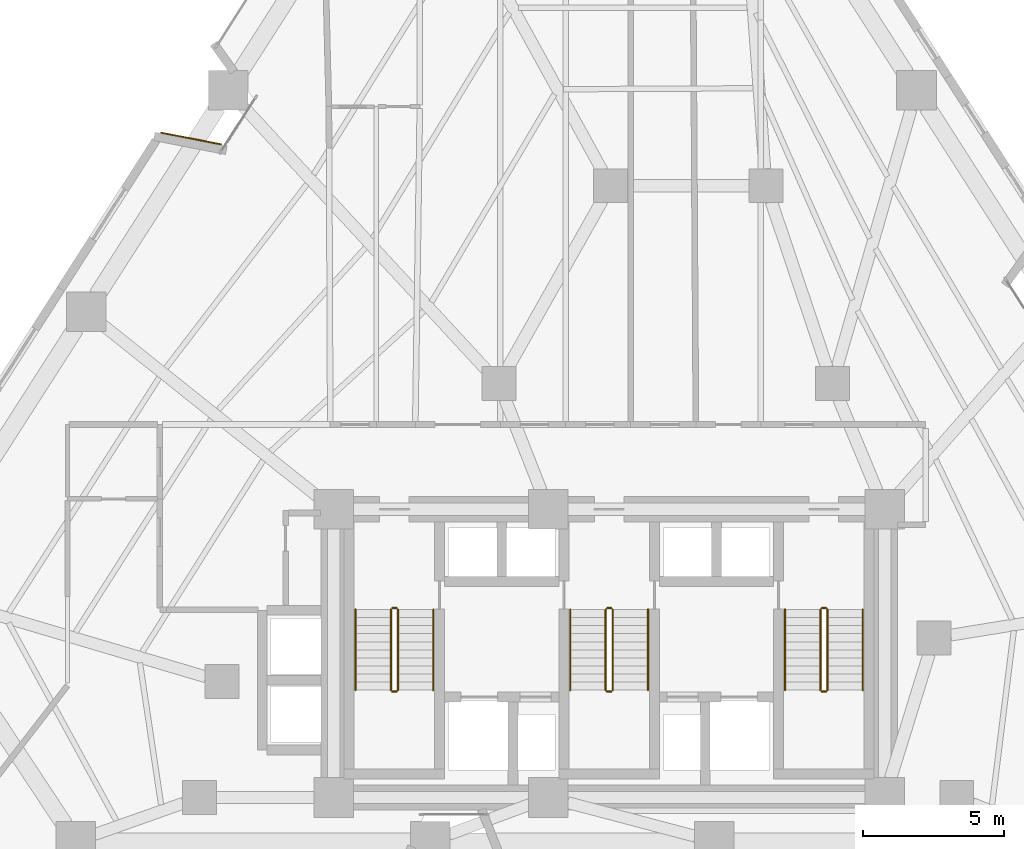
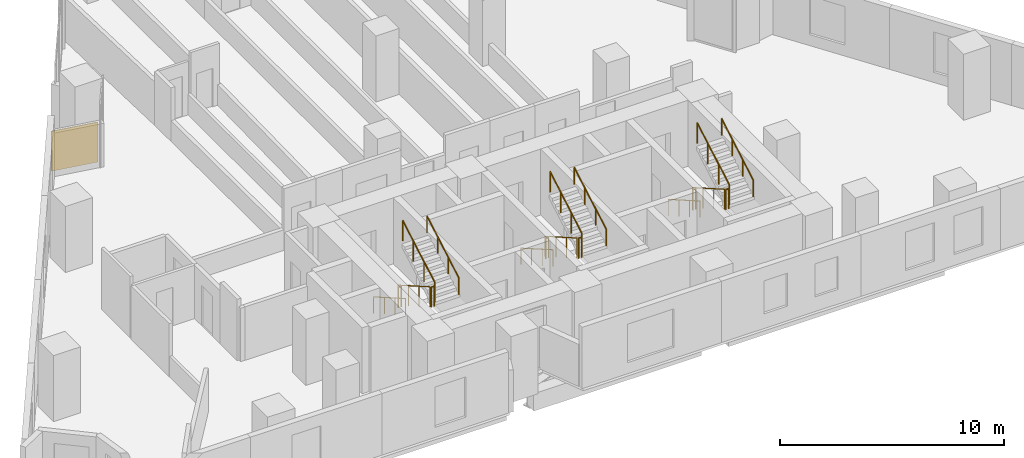
# One storey, part 12 of 13: 18 railings, 1 covering.
"""IFC4 building model written with IfcOpenShell, lengths in metres."""

from ifc_helpers import new_model, si_unit, direction, frame, origin, origin_2d, place, context, subcontext, project, spatial, rectangle, circle, extrude, material, layer, layer_set, type_object, element, save


model = new_model("IFC4")

# Units and contexts
model_context = context("Model", 3, precision=1e-05, world=origin(), true_north=direction((0.0, 1.0)))
body_context = subcontext(model_context, "Body", "Model", "MODEL_VIEW")
ifc_project = project(units=[si_unit("LENGTHUNIT", "METRE"), si_unit("AREAUNIT", "SQUARE_METRE"), si_unit("VOLUMEUNIT", "CUBIC_METRE"), si_unit("PLANEANGLEUNIT", "RADIAN"), si_unit("MASSUNIT", "GRAM", prefix="KILO")], contexts=[model_context])

# Site, building, storey
site_placement = place(None, origin())
site = spatial("IfcSite", under=ifc_project, at=site_placement, CompositionType="ELEMENT")
building_placement = place(site_placement, origin())
building = spatial("IfcBuilding", under=site, at=building_placement, Name="Almagre Mirador Tower", CompositionType="ELEMENT")
storey_placement = place(building_placement, frame((0.0, 0.0, 49.800048828125)))
storey = spatial("IfcBuildingStorey", under=building, at=storey_placement, Name="L11", CompositionType="ELEMENT", Elevation=49.800048828125)

# Covering
ifc_material_1 = material(Name="Almagre terracotta architectural cladding", Category="masonry")
ifc_layer = layer(ifc_material_1, 0.044921875)
ifc_layer_set = layer_set([ifc_layer], Name="Almagre terracotta architectural cladding")
covering_type = type_object("IfcCoveringType", Name="COV-CLAD-ALMAGRE", PredefinedType="CLADDING", material=ifc_layer_set)
covering_placement = place(storey_placement, frame((22.50634765625, 27.869384765625, 0.10009765625), z_axis=(0.0, 0.0, 1.0), x_axis=(0.981746878502, -0.190192183203, 0.0)))
element("IfcCovering", 1, at=covering_placement, inside=storey, type_object=covering_type, Name="L11 almagre terracotta pier cladding", PredefinedType="CLADDING", context=body_context, shape_type="SweptSolid", body=[
    extrude(rectangle(XDim=2.193115234375, YDim=0.044921875, at=origin_2d()), origin(), (0.0, 0.0, 1.0), 2.175048828125),
])

# Railings
ifc_material_2 = material(Name="Painted galvanized steel", Category="steel")
railing_type_1 = type_object("IfcRailingType", Name="RLG-GRD-1100", PredefinedType="GUARDRAIL", material=ifc_material_2)
railing_1_placement = place(storey_placement, frame((29.574951171875, 11.199951171875, 0.16357421875)))
element("IfcRailing", 2, at=railing_1_placement, inside=storey, type_object=railing_type_1, Name="L11 ST-1 stair guard 1", PredefinedType="GUARDRAIL", context=body_context, shape_type="SweptSolid", body=[
    extrude(circle(Radius=0.02392578125, at=origin_2d()), frame((0.0, 0.0, 1.09619140625), z_axis=(0.0, -0.867194282975, 0.497969954491), x_axis=(1.0, 0.0, 0.0)), (0.0, 0.0, 1.0), 3.286376953125),
    extrude(circle(Radius=0.02099609375, at=origin_2d()), origin(), (0.0, 0.0, 1.0), 1.072021484375),
    extrude(circle(Radius=0.02099609375, at=origin_2d()), frame((0.0, -0.949951171875, 0.54541015625)), (0.0, 0.0, 1.0), 1.072021484375),
    extrude(circle(Radius=0.02099609375, at=origin_2d()), frame((0.0, -1.89990234375, 1.091064453125)), (0.0, 0.0, 1.0), 1.072021484375),
    extrude(circle(Radius=0.02099609375, at=origin_2d()), frame((0.0, -2.849853515625, 1.636474609375)), (0.0, 0.0, 1.0), 1.072021484375),
])
railing_2_placement = place(storey_placement, frame((29.625, 8.300048828125, 1.800048828125)))
element("IfcRailing", 3, at=railing_2_placement, inside=storey, type_object=railing_type_1, Name="L11 ST-1 stair guard 2", PredefinedType="GUARDRAIL", context=body_context, shape_type="SweptSolid", body=[
    extrude(circle(Radius=0.02392578125, at=origin_2d()), frame((0.0, 0.0, 1.09619140625), z_axis=(1.0, 0.0, 0.0), x_axis=(0.0, 1.0, 0.0)), (0.0, 0.0, 1.0), 0.14990234375),
    extrude(circle(Radius=0.02099609375, at=origin_2d()), origin(), (0.0, 0.0, 1.0), 1.072021484375),
    extrude(circle(Radius=0.02099609375, at=origin_2d()), frame((0.14990234375, 0.0, 0.0)), (0.0, 0.0, 1.0), 1.072021484375),
])
railing_3_placement = place(storey_placement, frame((29.824951171875, 8.35009765625, 1.963623046875)))
element("IfcRailing", 4, at=railing_3_placement, inside=storey, type_object=railing_type_1, Name="L11 ST-1 stair guard 3", PredefinedType="GUARDRAIL", context=body_context, shape_type="SweptSolid", body=[
    extrude(circle(Radius=0.02392578125, at=origin_2d()), frame((0.0, 0.0, 1.09619140625), z_axis=(0.0, 0.867226363773, 0.497914082927), x_axis=(-1.0, 0.0, 0.0)), (0.0, 0.0, 1.0), 3.2861328125),
    extrude(circle(Radius=0.02099609375, at=origin_2d()), origin(), (0.0, 0.0, 1.0), 1.072021484375),
    extrude(circle(Radius=0.02099609375, at=origin_2d()), frame((0.0, 0.949951171875, 0.54541015625)), (0.0, 0.0, 1.0), 1.072021484375),
    extrude(circle(Radius=0.02099609375, at=origin_2d()), frame((0.0, 1.89990234375, 1.0908203125)), (0.0, 0.0, 1.0), 1.072021484375),
    extrude(circle(Radius=0.02099609375, at=origin_2d()), frame((0.0, 2.849853515625, 1.63623046875)), (0.0, 0.0, 1.0), 1.072021484375),
])
railing_4_placement = place(storey_placement, frame((29.625, 11.25, 0.0)))
element("IfcRailing", 5, at=railing_4_placement, inside=storey, type_object=railing_type_1, Name="L11 ST-1 stair guard 4", PredefinedType="GUARDRAIL", context=body_context, shape_type="SweptSolid", body=[
    extrude(circle(Radius=0.02392578125, at=origin_2d()), frame((0.0, 0.0, 1.09619140625), z_axis=(1.0, 0.0, 0.0), x_axis=(0.0, 1.0, 0.0)), (0.0, 0.0, 1.0), 0.14990234375),
    extrude(circle(Radius=0.02099609375, at=origin_2d()), origin(), (0.0, 0.0, 1.0), 1.072021484375),
    extrude(circle(Radius=0.02099609375, at=origin_2d()), frame((0.14990234375, 0.0, 0.0)), (0.0, 0.0, 1.0), 1.072021484375),
])
railing_5_placement = place(storey_placement, frame((37.175048828125, 11.199951171875, 0.16357421875)))
element("IfcRailing", 6, at=railing_5_placement, inside=storey, type_object=railing_type_1, Name="L11 ST-2 stair guard 1", PredefinedType="GUARDRAIL", context=body_context, shape_type="SweptSolid", body=[
    extrude(circle(Radius=0.02392578125, at=origin_2d()), frame((0.0, 0.0, 1.09619140625), z_axis=(0.0, -0.867194282975, 0.497969954491), x_axis=(1.0, 0.0, 0.0)), (0.0, 0.0, 1.0), 3.286376953125),
    extrude(circle(Radius=0.02099609375, at=origin_2d()), origin(), (0.0, 0.0, 1.0), 1.072021484375),
    extrude(circle(Radius=0.02099609375, at=origin_2d()), frame((0.0, -0.949951171875, 0.54541015625)), (0.0, 0.0, 1.0), 1.072021484375),
    extrude(circle(Radius=0.02099609375, at=origin_2d()), frame((0.0, -1.89990234375, 1.091064453125)), (0.0, 0.0, 1.0), 1.072021484375),
    extrude(circle(Radius=0.02099609375, at=origin_2d()), frame((0.0, -2.849853515625, 1.636474609375)), (0.0, 0.0, 1.0), 1.072021484375),
])
railing_6_placement = place(storey_placement, frame((37.22509765625, 8.300048828125, 1.800048828125)))
element("IfcRailing", 7, at=railing_6_placement, inside=storey, type_object=railing_type_1, Name="L11 ST-2 stair guard 2", PredefinedType="GUARDRAIL", context=body_context, shape_type="SweptSolid", body=[
    extrude(circle(Radius=0.02392578125, at=origin_2d()), frame((0.0, 0.0, 1.09619140625), z_axis=(1.0, 0.0, 0.0), x_axis=(0.0, 1.0, 0.0)), (0.0, 0.0, 1.0), 0.14990234375),
    extrude(circle(Radius=0.02099609375, at=origin_2d()), origin(), (0.0, 0.0, 1.0), 1.072021484375),
    extrude(circle(Radius=0.02099609375, at=origin_2d()), frame((0.14990234375, 0.0, 0.0)), (0.0, 0.0, 1.0), 1.072021484375),
])
railing_7_placement = place(storey_placement, frame((37.425048828125, 8.35009765625, 1.963623046875)))
element("IfcRailing", 8, at=railing_7_placement, inside=storey, type_object=railing_type_1, Name="L11 ST-2 stair guard 3", PredefinedType="GUARDRAIL", context=body_context, shape_type="SweptSolid", body=[
    extrude(circle(Radius=0.02392578125, at=origin_2d()), frame((0.0, 0.0, 1.09619140625), z_axis=(0.0, 0.867226363773, 0.497914082927), x_axis=(-1.0, 0.0, 0.0)), (0.0, 0.0, 1.0), 3.2861328125),
    extrude(circle(Radius=0.02099609375, at=origin_2d()), origin(), (0.0, 0.0, 1.0), 1.072021484375),
    extrude(circle(Radius=0.02099609375, at=origin_2d()), frame((0.0, 0.949951171875, 0.54541015625)), (0.0, 0.0, 1.0), 1.072021484375),
    extrude(circle(Radius=0.02099609375, at=origin_2d()), frame((0.0, 1.89990234375, 1.0908203125)), (0.0, 0.0, 1.0), 1.072021484375),
    extrude(circle(Radius=0.02099609375, at=origin_2d()), frame((0.0, 2.849853515625, 1.63623046875)), (0.0, 0.0, 1.0), 1.072021484375),
])
railing_8_placement = place(storey_placement, frame((37.22509765625, 11.25, 0.0)))
element("IfcRailing", 9, at=railing_8_placement, inside=storey, type_object=railing_type_1, Name="L11 ST-2 stair guard 4", PredefinedType="GUARDRAIL", context=body_context, shape_type="SweptSolid", body=[
    extrude(circle(Radius=0.02392578125, at=origin_2d()), frame((0.0, 0.0, 1.09619140625), z_axis=(1.0, 0.0, 0.0), x_axis=(0.0, 1.0, 0.0)), (0.0, 0.0, 1.0), 0.14990234375),
    extrude(circle(Radius=0.02099609375, at=origin_2d()), origin(), (0.0, 0.0, 1.0), 1.072021484375),
    extrude(circle(Radius=0.02099609375, at=origin_2d()), frame((0.14990234375, 0.0, 0.0)), (0.0, 0.0, 1.0), 1.072021484375),
])
railing_9_placement = place(storey_placement, frame((44.77490234375, 11.199951171875, 0.16357421875)))
element("IfcRailing", 10, at=railing_9_placement, inside=storey, type_object=railing_type_1, Name="L11 ST-3 stair guard 1", PredefinedType="GUARDRAIL", context=body_context, shape_type="SweptSolid", body=[
    extrude(circle(Radius=0.02392578125, at=origin_2d()), frame((0.0, 0.0, 1.09619140625), z_axis=(0.0, -0.867194282975, 0.497969954491), x_axis=(1.0, 0.0, 0.0)), (0.0, 0.0, 1.0), 3.286376953125),
    extrude(circle(Radius=0.02099609375, at=origin_2d()), origin(), (0.0, 0.0, 1.0), 1.072021484375),
    extrude(circle(Radius=0.02099609375, at=origin_2d()), frame((0.0, -0.949951171875, 0.54541015625)), (0.0, 0.0, 1.0), 1.072021484375),
    extrude(circle(Radius=0.02099609375, at=origin_2d()), frame((0.0, -1.89990234375, 1.091064453125)), (0.0, 0.0, 1.0), 1.072021484375),
    extrude(circle(Radius=0.02099609375, at=origin_2d()), frame((0.0, -2.849853515625, 1.636474609375)), (0.0, 0.0, 1.0), 1.072021484375),
])
railing_10_placement = place(storey_placement, frame((44.824951171875, 8.300048828125, 1.800048828125)))
element("IfcRailing", 11, at=railing_10_placement, inside=storey, type_object=railing_type_1, Name="L11 ST-3 stair guard 2", PredefinedType="GUARDRAIL", context=body_context, shape_type="SweptSolid", body=[
    extrude(circle(Radius=0.02392578125, at=origin_2d()), frame((0.0, 0.0, 1.09619140625), z_axis=(1.0, 0.0, 0.0), x_axis=(0.0, 1.0, 0.0)), (0.0, 0.0, 1.0), 0.150146484375),
    extrude(circle(Radius=0.02099609375, at=origin_2d()), origin(), (0.0, 0.0, 1.0), 1.072021484375),
    extrude(circle(Radius=0.02099609375, at=origin_2d()), frame((0.150146484375, 0.0, 0.0)), (0.0, 0.0, 1.0), 1.072021484375),
])
railing_11_placement = place(storey_placement, frame((45.02490234375, 8.35009765625, 1.963623046875)))
element("IfcRailing", 12, at=railing_11_placement, inside=storey, type_object=railing_type_1, Name="L11 ST-3 stair guard 3", PredefinedType="GUARDRAIL", context=body_context, shape_type="SweptSolid", body=[
    extrude(circle(Radius=0.02392578125, at=origin_2d()), frame((0.0, 0.0, 1.09619140625), z_axis=(0.0, 0.867226363773, 0.497914082927), x_axis=(-1.0, 0.0, 0.0)), (0.0, 0.0, 1.0), 3.2861328125),
    extrude(circle(Radius=0.02099609375, at=origin_2d()), origin(), (0.0, 0.0, 1.0), 1.072021484375),
    extrude(circle(Radius=0.02099609375, at=origin_2d()), frame((0.0, 0.949951171875, 0.54541015625)), (0.0, 0.0, 1.0), 1.072021484375),
    extrude(circle(Radius=0.02099609375, at=origin_2d()), frame((0.0, 1.89990234375, 1.0908203125)), (0.0, 0.0, 1.0), 1.072021484375),
    extrude(circle(Radius=0.02099609375, at=origin_2d()), frame((0.0, 2.849853515625, 1.63623046875)), (0.0, 0.0, 1.0), 1.072021484375),
])
railing_12_placement = place(storey_placement, frame((44.824951171875, 11.25, 0.0)))
element("IfcRailing", 13, at=railing_12_placement, inside=storey, type_object=railing_type_1, Name="L11 ST-3 stair guard 4", PredefinedType="GUARDRAIL", context=body_context, shape_type="SweptSolid", body=[
    extrude(circle(Radius=0.02392578125, at=origin_2d()), frame((0.0, 0.0, 1.09619140625), z_axis=(1.0, 0.0, 0.0), x_axis=(0.0, 1.0, 0.0)), (0.0, 0.0, 1.0), 0.150146484375),
    extrude(circle(Radius=0.02099609375, at=origin_2d()), origin(), (0.0, 0.0, 1.0), 1.072021484375),
    extrude(circle(Radius=0.02099609375, at=origin_2d()), frame((0.150146484375, 0.0, 0.0)), (0.0, 0.0, 1.0), 1.072021484375),
])
ifc_material_3 = material(Name="Brushed stainless steel", Category="steel")
railing_type_2 = type_object("IfcRailingType", Name="RLG-HND-915", PredefinedType="HANDRAIL", material=ifc_material_3)
railing_13_placement = place(storey_placement, frame((28.324951171875, 11.199951171875, 0.16357421875)))
element("IfcRailing", 14, at=railing_13_placement, inside=storey, type_object=railing_type_2, Name="L11 ST-1 stair handrail 1", PredefinedType="HANDRAIL", context=body_context, shape_type="SweptSolid", body=[
    extrude(circle(Radius=0.02392578125, at=origin_2d()), frame((0.0, 0.0, 0.89111328125), z_axis=(0.0, -0.867194282975, 0.497969954491), x_axis=(1.0, 0.0, 0.0)), (0.0, 0.0, 1.0), 3.286376953125),
    extrude(circle(Radius=0.02099609375, at=origin_2d()), origin(), (0.0, 0.0, 1.0), 0.866943359375),
    extrude(circle(Radius=0.02099609375, at=origin_2d()), frame((0.0, -0.949951171875, 0.54541015625)), (0.0, 0.0, 1.0), 0.866943359375),
    extrude(circle(Radius=0.02099609375, at=origin_2d()), frame((0.0, -1.89990234375, 1.091064453125)), (0.0, 0.0, 1.0), 0.866943359375),
    extrude(circle(Radius=0.02099609375, at=origin_2d()), frame((0.0, -2.849853515625, 1.636474609375)), (0.0, 0.0, 1.0), 0.866943359375),
])
railing_14_placement = place(storey_placement, frame((31.074951171875, 8.35009765625, 1.963623046875)))
element("IfcRailing", 15, at=railing_14_placement, inside=storey, type_object=railing_type_2, Name="L11 ST-1 stair handrail 2", PredefinedType="HANDRAIL", context=body_context, shape_type="SweptSolid", body=[
    extrude(circle(Radius=0.02392578125, at=origin_2d()), frame((0.0, 0.0, 0.89111328125), z_axis=(0.0, 0.867226363773, 0.497914082927), x_axis=(-1.0, 0.0, 0.0)), (0.0, 0.0, 1.0), 3.2861328125),
    extrude(circle(Radius=0.02099609375, at=origin_2d()), origin(), (0.0, 0.0, 1.0), 0.866943359375),
    extrude(circle(Radius=0.02099609375, at=origin_2d()), frame((0.0, 0.949951171875, 0.54541015625)), (0.0, 0.0, 1.0), 0.866943359375),
    extrude(circle(Radius=0.02099609375, at=origin_2d()), frame((0.0, 1.89990234375, 1.0908203125)), (0.0, 0.0, 1.0), 0.866943359375),
    extrude(circle(Radius=0.02099609375, at=origin_2d()), frame((0.0, 2.849853515625, 1.63623046875)), (0.0, 0.0, 1.0), 0.866943359375),
])
railing_15_placement = place(storey_placement, frame((35.925048828125, 11.199951171875, 0.16357421875)))
element("IfcRailing", 16, at=railing_15_placement, inside=storey, type_object=railing_type_2, Name="L11 ST-2 stair handrail 1", PredefinedType="HANDRAIL", context=body_context, shape_type="SweptSolid", body=[
    extrude(circle(Radius=0.02392578125, at=origin_2d()), frame((0.0, 0.0, 0.89111328125), z_axis=(0.0, -0.867194282975, 0.497969954491), x_axis=(1.0, 0.0, 0.0)), (0.0, 0.0, 1.0), 3.286376953125),
    extrude(circle(Radius=0.02099609375, at=origin_2d()), origin(), (0.0, 0.0, 1.0), 0.866943359375),
    extrude(circle(Radius=0.02099609375, at=origin_2d()), frame((0.0, -0.949951171875, 0.54541015625)), (0.0, 0.0, 1.0), 0.866943359375),
    extrude(circle(Radius=0.02099609375, at=origin_2d()), frame((0.0, -1.89990234375, 1.091064453125)), (0.0, 0.0, 1.0), 0.866943359375),
    extrude(circle(Radius=0.02099609375, at=origin_2d()), frame((0.0, -2.849853515625, 1.636474609375)), (0.0, 0.0, 1.0), 0.866943359375),
])
railing_16_placement = place(storey_placement, frame((38.675048828125, 8.35009765625, 1.963623046875)))
element("IfcRailing", 17, at=railing_16_placement, inside=storey, type_object=railing_type_2, Name="L11 ST-2 stair handrail 2", PredefinedType="HANDRAIL", context=body_context, shape_type="SweptSolid", body=[
    extrude(circle(Radius=0.02392578125, at=origin_2d()), frame((0.0, 0.0, 0.89111328125), z_axis=(0.0, 0.867226363773, 0.497914082927), x_axis=(-1.0, 0.0, 0.0)), (0.0, 0.0, 1.0), 3.2861328125),
    extrude(circle(Radius=0.02099609375, at=origin_2d()), origin(), (0.0, 0.0, 1.0), 0.866943359375),
    extrude(circle(Radius=0.02099609375, at=origin_2d()), frame((0.0, 0.949951171875, 0.54541015625)), (0.0, 0.0, 1.0), 0.866943359375),
    extrude(circle(Radius=0.02099609375, at=origin_2d()), frame((0.0, 1.89990234375, 1.0908203125)), (0.0, 0.0, 1.0), 0.866943359375),
    extrude(circle(Radius=0.02099609375, at=origin_2d()), frame((0.0, 2.849853515625, 1.63623046875)), (0.0, 0.0, 1.0), 0.866943359375),
])
railing_17_placement = place(storey_placement, frame((43.52490234375, 11.199951171875, 0.16357421875)))
element("IfcRailing", 18, at=railing_17_placement, inside=storey, type_object=railing_type_2, Name="L11 ST-3 stair handrail 1", PredefinedType="HANDRAIL", context=body_context, shape_type="SweptSolid", body=[
    extrude(circle(Radius=0.02392578125, at=origin_2d()), frame((0.0, 0.0, 0.89111328125), z_axis=(0.0, -0.867194282975, 0.497969954491), x_axis=(1.0, 0.0, 0.0)), (0.0, 0.0, 1.0), 3.286376953125),
    extrude(circle(Radius=0.02099609375, at=origin_2d()), origin(), (0.0, 0.0, 1.0), 0.866943359375),
    extrude(circle(Radius=0.02099609375, at=origin_2d()), frame((0.0, -0.949951171875, 0.54541015625)), (0.0, 0.0, 1.0), 0.866943359375),
    extrude(circle(Radius=0.02099609375, at=origin_2d()), frame((0.0, -1.89990234375, 1.091064453125)), (0.0, 0.0, 1.0), 0.866943359375),
    extrude(circle(Radius=0.02099609375, at=origin_2d()), frame((0.0, -2.849853515625, 1.636474609375)), (0.0, 0.0, 1.0), 0.866943359375),
])
railing_18_placement = place(storey_placement, frame((46.27490234375, 8.35009765625, 1.963623046875)))
element("IfcRailing", 19, at=railing_18_placement, inside=storey, type_object=railing_type_2, Name="L11 ST-3 stair handrail 2", PredefinedType="HANDRAIL", context=body_context, shape_type="SweptSolid", body=[
    extrude(circle(Radius=0.02392578125, at=origin_2d()), frame((0.0, 0.0, 0.89111328125), z_axis=(0.0, 0.867226363773, 0.497914082927), x_axis=(-1.0, 0.0, 0.0)), (0.0, 0.0, 1.0), 3.2861328125),
    extrude(circle(Radius=0.02099609375, at=origin_2d()), origin(), (0.0, 0.0, 1.0), 0.866943359375),
    extrude(circle(Radius=0.02099609375, at=origin_2d()), frame((0.0, 0.949951171875, 0.54541015625)), (0.0, 0.0, 1.0), 0.866943359375),
    extrude(circle(Radius=0.02099609375, at=origin_2d()), frame((0.0, 1.89990234375, 1.0908203125)), (0.0, 0.0, 1.0), 0.866943359375),
    extrude(circle(Radius=0.02099609375, at=origin_2d()), frame((0.0, 2.849853515625, 1.63623046875)), (0.0, 0.0, 1.0), 0.866943359375),
])

save(model, "model.ifc")
